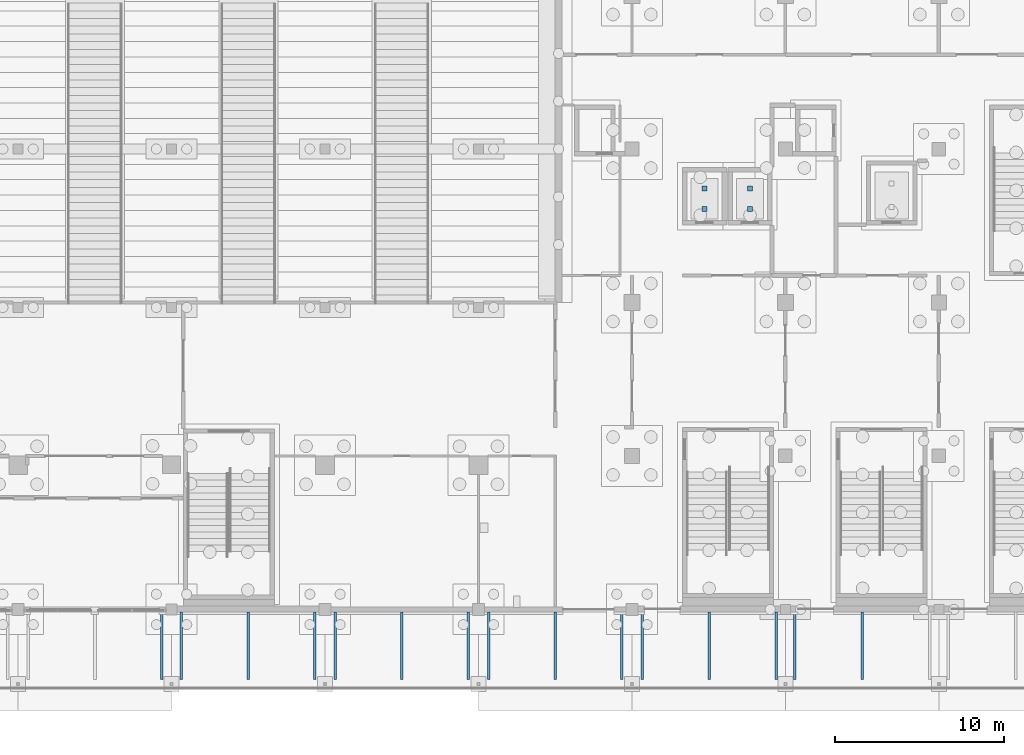
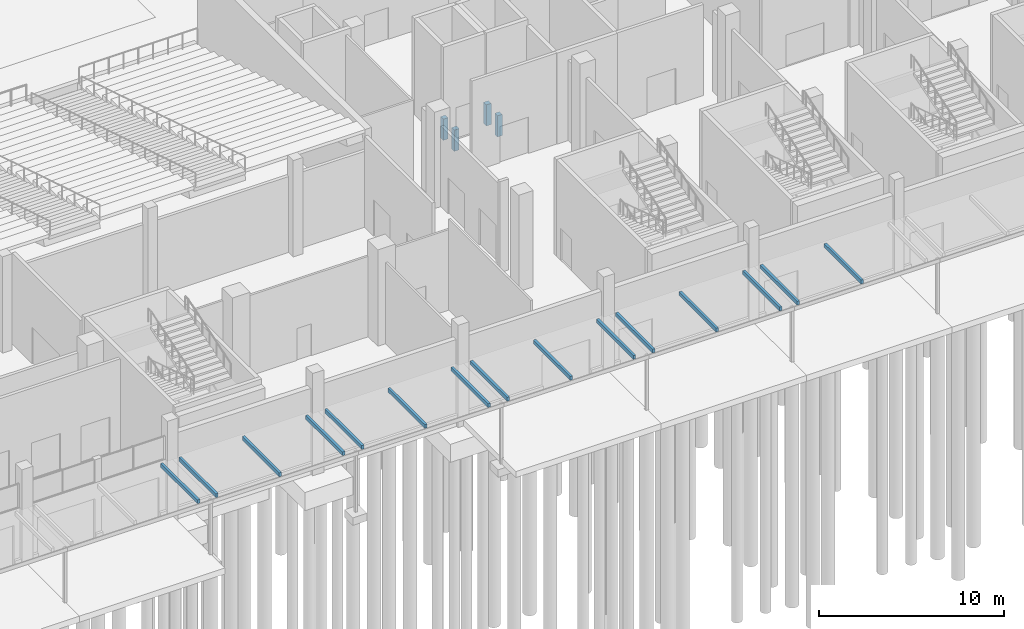
# One storey, part 96 of 129: 19 discrete accessories.
"""IFC4 building model written with IfcOpenShell, lengths in metres."""

import ifcopenshell
import ifcopenshell.guid

model = None  # the IFC model being written
_history = None  # IfcOwnerHistory: only IFC2X3 demands one
_inside = {}  # id of a spatial element -> (the spatial element, [elements in it])
_under = {}  # id of a project, library or spatial element -> (it, [spatial elements below it])
_declared = {}  # id of a project -> (the project, [libraries it declares])
_typed = {}  # id of a type object -> (the type object, [elements of that type])
_made_of = {}  # id of a material, layer set ... -> (it, [elements and type objects made of it])


def new_model(schema):
    """Start an empty IFC model of exactly this schema.

    Asked for "IFC4X3", IfcOpenShell would pick the latest addendum, in which some entities
    have other attributes; the version numbers below select the first issue.
    IFC2X3 requires an IfcOwnerHistory on every rooted entity: one is made here for all.
    """
    global model, _history
    if schema == "IFC4X3":
        model = ifcopenshell.file(schema_version=(4, 3, 0, 0))
    else:
        model = ifcopenshell.file(schema=schema)
    _inside.clear()
    _under.clear()
    _declared.clear()
    _typed.clear()
    _made_of.clear()
    _history = None
    if model.schema == "IFC2X3":
        org = make("IfcOrganization", Name="unknown")
        user = make(
            "IfcPersonAndOrganization",
            ThePerson=make("IfcPerson", FamilyName="unknown"),
            TheOrganization=org,
        )
        app = make(
            "IfcApplication",
            ApplicationDeveloper=org,
            Version="unknown",
            ApplicationFullName="unknown",
            ApplicationIdentifier="unknown",
        )
        _history = make(
            "IfcOwnerHistory",
            OwningUser=user,
            OwningApplication=app,
            ChangeAction="ADDED",
            CreationDate=0,
        )
    return model


def make(cls, **values):
    """One entity of the class cls with the attributes given. An attribute that is None is left unset."""
    return model.create_entity(
        cls, **{name: value for name, value in values.items() if value is not None}
    )


def rooted(cls, **values):
    """An entity with a GlobalId (a new one), such as an element, a storey or a relation."""
    return make(cls, GlobalId=ifcopenshell.guid.new(), OwnerHistory=_history, **values)


def si_unit(unit_type, name, prefix=None):
    """IfcSIUnit, for example si_unit("LENGTHUNIT", "METRE", prefix="MILLI")."""
    return make("IfcSIUnit", UnitType=unit_type, Prefix=prefix, Name=name)


def assignment(units):
    """IfcUnitAssignment: the units of a project."""
    return None if units is None else make("IfcUnitAssignment", Units=units)


def point(xyz):
    """IfcCartesianPoint."""
    return None if xyz is None else make("IfcCartesianPoint", Coordinates=xyz)


def direction(xyz):
    """IfcDirection."""
    return None if xyz is None else make("IfcDirection", DirectionRatios=xyz)


def frame(location, z_axis=None, x_axis=None):
    """IfcAxis2Placement3D, a coordinate frame: its origin and axes. An axis left out is left unset."""
    return make(
        "IfcAxis2Placement3D",
        Location=point(location),
        Axis=direction(z_axis),
        RefDirection=direction(x_axis),
    )


def frame_2d(location, x_axis=None):
    """IfcAxis2Placement2D, a coordinate frame in the plane: its origin and x axis."""
    return make(
        "IfcAxis2Placement2D", Location=point(location), RefDirection=direction(x_axis)
    )


def origin():
    """The frame at (0, 0, 0) with its axes left unset."""
    return frame((0.0, 0.0, 0.0))


def origin_2d():
    """The frame at (0, 0) in the plane with its x axis left unset."""
    return frame_2d((0.0, 0.0))


def place(relative_to, where):
    """IfcLocalPlacement: puts the frame where relative to a parent placement (None: the world)."""
    return make(
        "IfcLocalPlacement", PlacementRelTo=relative_to, RelativePlacement=where
    )


def context(
    kind, dimensions, precision=None, world=None, true_north=None, identifier=None
):
    """IfcGeometricRepresentationContext, for example the 3D "Model" context."""
    return make(
        "IfcGeometricRepresentationContext",
        ContextIdentifier=identifier,
        ContextType=kind,
        CoordinateSpaceDimension=dimensions,
        Precision=precision,
        WorldCoordinateSystem=world,
        TrueNorth=true_north,
    )


def subcontext(parent, identifier, kind, view, scale=None):
    """IfcGeometricRepresentationSubContext, for example "Body" below "Model"."""
    return make(
        "IfcGeometricRepresentationSubContext",
        ContextIdentifier=identifier,
        ContextType=kind,
        ParentContext=parent,
        TargetScale=scale,
        TargetView=view,
    )


def project(units=None, contexts=None):
    """IfcProject with its units and contexts."""
    return rooted(
        "IfcProject",
        Name="project",
        RepresentationContexts=contexts,
        UnitsInContext=assignment(units),
    )


def spatial(cls, under=None, at=None, **own):
    """A site, building, storey or space (cls), placed at a placement, below another one or the project."""
    s = rooted(cls, ObjectPlacement=at, **own)
    if under is not None:
        _under.setdefault(under.id(), (under, []))[1].append(s)
    return s


def profile(cls, at=None, kind="AREA", **sizes):
    """A parametric profile (cls). Its sizes go by their IFC names, for example OverallWidth=200.0."""
    return make(cls, ProfileType=kind, Position=at, **sizes)


def rectangle(**sizes):
    """IfcRectangleProfileDef."""
    return profile("IfcRectangleProfileDef", **sizes)


def extrude(swept, where, along, depth):
    """IfcExtrudedAreaSolid: the profile swept, set in the frame where, extruded along a direction by depth."""
    return make(
        "IfcExtrudedAreaSolid",
        SweptArea=swept,
        Position=where,
        ExtrudedDirection=direction(along),
        Depth=depth,
    )


def shape(context_of_items, identifier, shape_type, items):
    """IfcShapeRepresentation: the items that make up one representation, for example the "Body"."""
    return make(
        "IfcShapeRepresentation",
        ContextOfItems=context_of_items,
        RepresentationIdentifier=identifier,
        RepresentationType=shape_type,
        Items=items,
    )


def material(Name=None, Category=None):
    """IfcMaterial."""
    return make("IfcMaterial", Name=Name, Category=Category)


def made_of(thing, what):
    """Note that an element or type object is made of a material, layer set ...; save() writes the relation."""
    if what is not None:
        _made_of.setdefault(what.id(), (what, []))[1].append(thing)
    return thing


def type_object(cls, material=None, **own):
    """A type object (cls), such as IfcWallType, which elements share."""
    return made_of(rooted(cls, **own), material)


def element(
    cls,
    number,
    at=None,
    inside=None,
    cuts=None,
    type_object=None,
    material=None,
    context=None,
    identifier="Body",
    shape_type=None,
    held_by="IfcProductDefinitionShape",
    body=None,
    shapes=None,
    **own,
):
    """One element of the class cls, such as IfcWall. Its Tag is "e" and its number.

    at: its placement. inside: the storey or other place that contains it. cuts: it is an
    opening in that element (IfcRelVoidsElement). A single representation is given by context,
    identifier, shape_type and body (its items); several are given by shapes. held_by: the class
    of the entity that holds the representations. save() writes the other relations.
    """
    e = rooted(cls, Tag="e%d" % number, ObjectPlacement=at, **own)
    if body is not None:
        shapes = [shape(context, identifier, shape_type, body)]
    if shapes is not None:
        e.Representation = make(held_by, Representations=shapes)
    if inside is not None:
        _inside.setdefault(inside.id(), (inside, []))[1].append(e)
    if cuts is not None:
        rooted(
            "IfcRelVoidsElement", RelatingBuildingElement=cuts, RelatedOpeningElement=e
        )
    if type_object is not None:
        _typed.setdefault(type_object.id(), (type_object, []))[1].append(e)
    return made_of(e, material)


def aggregate(whole, parts):
    """IfcRelAggregates: a whole, such as a stair, and the parts it consists of."""
    return rooted("IfcRelAggregates", RelatingObject=whole, RelatedObjects=parts)


def save(model, path):
    """Write the relations noted so far, then the file.

    IfcRelAggregates (storeys below a building ...), IfcRelContainedInSpatialStructure (elements
    in a storey), IfcRelDefinesByType, IfcRelAssociatesMaterial and IfcRelDeclares: one each for
    every whole, place, type object, material and project.
    """
    for whole, parts in _under.values():
        aggregate(whole, parts)
    for where, things in _inside.values():
        rooted(
            "IfcRelContainedInSpatialStructure",
            RelatedElements=things,
            RelatingStructure=where,
        )
    for kind, things in _typed.values():
        rooted("IfcRelDefinesByType", RelatedObjects=things, RelatingType=kind)
    for what, things in _made_of.values():
        rooted("IfcRelAssociatesMaterial", RelatedObjects=things, RelatingMaterial=what)
    for by, libraries in _declared.values():
        rooted("IfcRelDeclares", RelatingContext=by, RelatedDefinitions=libraries)
    model.write(path)


model = new_model("IFC4")

# Units and contexts
model_context = context("Model", 3, precision=1e-05, world=origin(), true_north=direction((0.0, 1.0)))
body_context = subcontext(model_context, "Body", "Model", "MODEL_VIEW")
ifc_project = project(units=[si_unit("LENGTHUNIT", "METRE"), si_unit("AREAUNIT", "SQUARE_METRE"), si_unit("VOLUMEUNIT", "CUBIC_METRE"), si_unit("PLANEANGLEUNIT", "RADIAN"), si_unit("MASSUNIT", "GRAM", prefix="KILO")], contexts=[model_context])

# Site, building, storey
site_placement = place(None, origin())
site = spatial("IfcSite", under=ifc_project, at=site_placement, CompositionType="ELEMENT")
building_placement = place(site_placement, origin())
building = spatial("IfcBuilding", under=site, at=building_placement, Name="Shirokan Park Arena", CompositionType="ELEMENT")
storey_placement = place(building_placement, origin())
storey = spatial("IfcBuildingStorey", under=building, at=storey_placement, Name="L00", CompositionType="ELEMENT", Elevation=0.0)

# Discrete accessories
ifc_material = material(Name="Steel S355", Category="steel")
discrete_accessory_type = type_object("IfcDiscreteAccessoryType", Name="Canopy bracket 150x250", PredefinedType="BRACKET", material=ifc_material)
for number, where, z_axis, x_axis, name in (
    (1, (81.324951171875, -2.14990234375, 3.35009765625), (0.0, 0.0, 1.0), (1.0, 0.0, 0.0), "Canopy bracket south bay 9 3"),
    (2, (82.47509765625, -2.14990234375, 3.35009765625), (0.0, 0.0, 1.0), (1.0, 0.0, 0.0), "Canopy bracket south bay 10 1"),
    (3, (86.4375, -2.14990234375, 3.35009765625), (0.0, 0.0, 1.0), (1.0, 0.0, 0.0), "Canopy bracket south bay 10 2"),
    (4, (90.39990234375, -2.14990234375, 3.35009765625), (0.0, 0.0, 1.0), (1.0, 0.0, 0.0), "Canopy bracket south bay 10 3"),
    (5, (91.60009765625, -2.14990234375, 3.35009765625), (0.0, 0.0, 1.0), (1.0, 0.0, 0.0), "Canopy bracket south bay 11 1"),
    (6, (95.550048828125, -2.14990234375, 3.35009765625), (0.0, 0.0, 1.0), (1.0, 0.0, 0.0), "Canopy bracket south bay 11 2"),
    (7, (99.5, -2.14990234375, 3.35009765625), (0.0, 0.0, 1.0), (1.0, 0.0, 0.0), "Canopy bracket south bay 11 3"),
    (8, (100.699951171875, -2.14990234375, 3.35009765625), (0.0, 0.0, 1.0), (1.0, 0.0, 0.0), "Canopy bracket south bay 12 1"),
    (9, (104.64990234375, -2.14990234375, 3.35009765625), (0.0, 0.0, 1.0), (1.0, 0.0, 0.0), "Canopy bracket south bay 12 2"),
    (10, (108.60009765625, -2.14990234375, 3.35009765625), (0.0, 0.0, 1.0), (1.0, 0.0, 0.0), "Canopy bracket south bay 12 3"),
    (11, (109.800048828125, -2.14990234375, 3.35009765625), (0.0, 0.0, 1.0), (1.0, 0.0, 0.0), "Canopy bracket south bay 13 1"),
    (12, (113.77490234375, -2.14990234375, 3.35009765625), (0.0, 0.0, 1.0), (1.0, 0.0, 0.0), "Canopy bracket south bay 13 2"),
    (13, (117.75, -2.14990234375, 3.35009765625), (0.0, 0.0, 1.0), (1.0, 0.0, 0.0), "Canopy bracket south bay 13 3"),
    (14, (118.85009765625, -2.14990234375, 3.35009765625), (0.0, 0.0, 1.0), (1.0, 0.0, 0.0), "Canopy bracket south bay 14 1"),
    (15, (122.85009765625, -2.14990234375, 3.35009765625), (0.0, 0.0, 1.0), (1.0, 0.0, 0.0), "Canopy bracket south bay 14 2"),
):
    element("IfcDiscreteAccessory", number, at=place(storey_placement, frame(where, z_axis=z_axis, x_axis=x_axis)), inside=storey, type_object=discrete_accessory_type, Name=name, PredefinedType="BRACKET", context=body_context, shape_type="SweptSolid", body=[
        extrude(rectangle(XDim=0.14990234375, YDim=4.0, at=origin_2d()), origin(), (0.0, 0.0, 1.0), 0.25),
    ])
for number, where, z_axis, x_axis, name in (
    (16, (116.199951171875, 23.75, -1.39990234375), (0.0, 0.0, 1.0), (1.0, 0.0, 0.0), "Lift buffer Passenger Lift 2.1 1"),
    (17, (116.199951171875, 24.949951171875, -1.39990234375), (0.0, 0.0, 1.0), (1.0, 0.0, 0.0), "Lift buffer Passenger Lift 2.1 2"),
    (18, (113.5, 23.75, -1.39990234375), (0.0, 0.0, 1.0), (1.0, 0.0, 0.0), "Lift buffer Passenger Lift 2.2 1"),
    (19, (113.5, 24.949951171875, -1.39990234375), (0.0, 0.0, 1.0), (1.0, 0.0, 0.0), "Lift buffer Passenger Lift 2.2 2"),
):
    element("IfcDiscreteAccessory", number, at=place(storey_placement, frame(where, z_axis=z_axis, x_axis=x_axis)), inside=storey, Name=name, ObjectType="LIFT BUFFER", PredefinedType="USERDEFINED", context=body_context, shape_type="SweptSolid", body=[
        extrude(rectangle(XDim=0.300048828125, YDim=0.300048828125, at=origin_2d()), origin(), (0.0, 0.0, 1.0), 1.39990234375),
    ])

save(model, "model.ifc")
